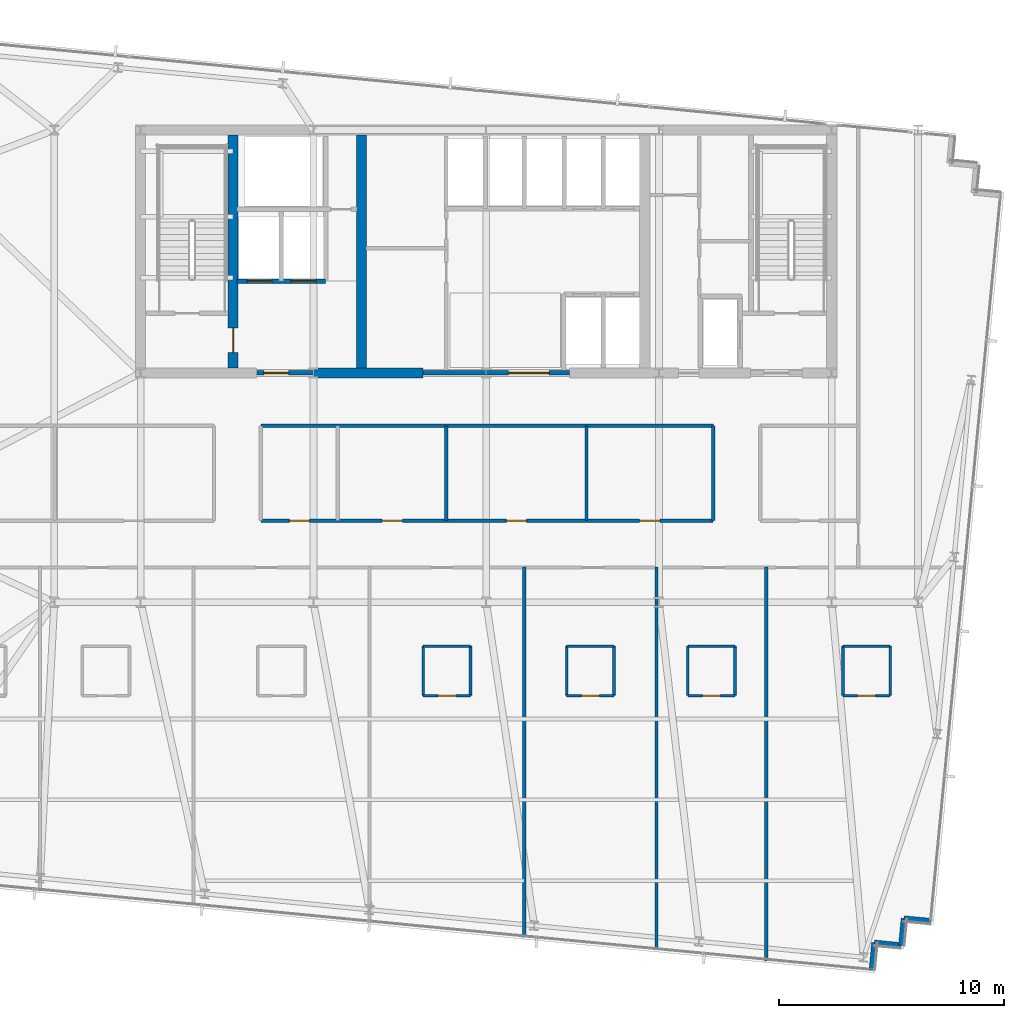
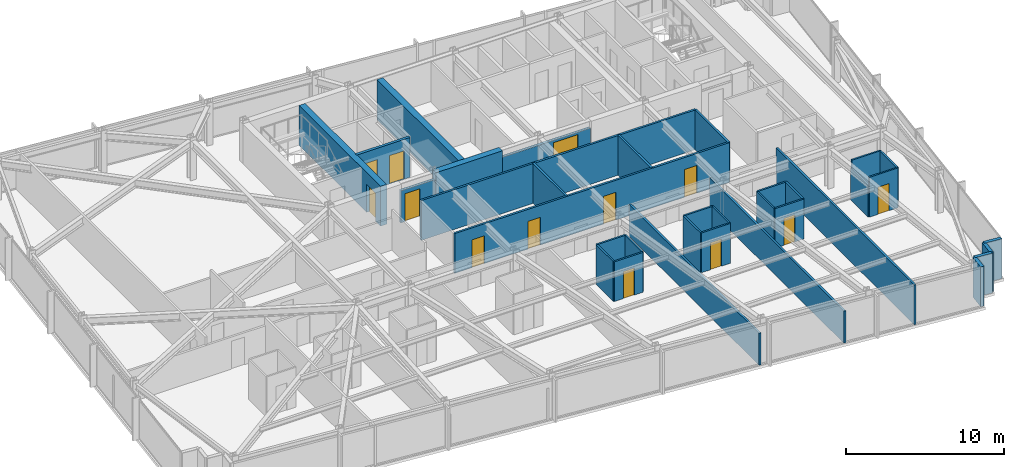
# One storey, part 30 of 38: 34 walls, 13 doors, 13 openings.
"""IFC4 building model written with IfcOpenShell, lengths in metres."""

from ifc_helpers import new_model, si_unit, direction, frame, frame_2d, origin, place, context, subcontext, project, spatial, rectangle, extrude, material, layer, layer_set, type_object, element, fill, save


model = new_model("IFC4")

# Units and contexts
model_context = context("Model", 3, precision=1e-05, world=origin(), true_north=direction((0.0, 1.0)))
body_context = subcontext(model_context, "Body", "Model", "MODEL_VIEW")
ifc_project = project(units=[si_unit("LENGTHUNIT", "METRE"), si_unit("AREAUNIT", "SQUARE_METRE"), si_unit("VOLUMEUNIT", "CUBIC_METRE"), si_unit("PLANEANGLEUNIT", "RADIAN"), si_unit("MASSUNIT", "GRAM", prefix="KILO")], contexts=[model_context])

# Site, building, storey
site_placement = place(None, origin())
site = spatial("IfcSite", under=ifc_project, at=site_placement, CompositionType="ELEMENT")
building_placement = place(site_placement, origin())
building = spatial("IfcBuilding", under=site, at=building_placement, Name="Yelkora Congress Tower", CompositionType="ELEMENT")
storey_placement = place(building_placement, frame((0.0, 0.0, 172.10009765625)))
storey = spatial("IfcBuildingStorey", under=building, at=storey_placement, Name="L47", CompositionType="ELEMENT", Elevation=172.10009765625)

# Wall
ifc_material_1 = material(Name="Concrete C60/75", Category="concrete")
ifc_layer_1 = layer(ifc_material_1, 0.449951171875)
ifc_layer_set_1 = layer_set([ifc_layer_1], Name="Concrete C60/75")
wall_type_1 = type_object("IfcWallType", Name="WALL-CORE-INT-450", PredefinedType="SHEAR", material=ifc_layer_set_1)
wall_1_placement = place(storey_placement, frame((30.719970703125, 35.39990234375, 0.0), z_axis=(0.0, 0.0, 1.0), x_axis=(1.0, 0.0, 0.0)))
element("IfcWall", 1, at=wall_1_placement, inside=storey, type_object=wall_type_1, Name="L47 Rear Core South-Center Shear Pier", PredefinedType="SHEAR", context=body_context, shape_type="SweptSolid", body=[
    extrude(rectangle(XDim=4.880126953125, YDim=0.449951171875, at=frame_2d((2.43994140625, 0.0))), origin(), (0.0, 0.0, 1.0), 3.079833984375),
])

# Wall, opening, door
wall_2_placement = place(storey_placement, frame((27.14990234375, 35.625, 0.0), z_axis=(0.0, 0.0, 1.0), x_axis=(0.0, 1.0, 0.0)))
wall_2 = element("IfcWall", 2, at=wall_2_placement, inside=storey, type_object=wall_type_1, Name="L47 Rear Core Cross Shear Wall C1", PredefinedType="SHEAR", context=body_context, shape_type="SweptSolid", body=[
    extrude(rectangle(XDim=10.35009765625, YDim=0.449951171875, at=frame_2d((5.175048828125, 0.0))), origin(), (0.0, 0.0, 1.0), 3.079833984375),
])
opening_1_placement = place(wall_2_placement, frame((0.675048828125, 0.0, 0.0)))
opening_1 = element("IfcOpeningElement", 3, at=opening_1_placement, cuts=wall_2, Name="Opening DR-110F9", PredefinedType="OPENING", context=body_context, shape_type="SweptSolid", body=[
    extrude(rectangle(XDim=1.10009765625, YDim=2.14990234375, at=frame_2d((0.550048828125, 1.074951171875))), frame((0.0, 0.23486328125, 0.0), z_axis=(0.0, -1.0, 0.0), x_axis=(1.0, 0.0, 0.0)), (0.0, 0.0, 1.0), 0.469970703125),
])
ifc_material_2 = material(Name="Galvanised steel fire door leaf", Category="steel")
door_type_1 = type_object("IfcDoorType", Name="DOOR-FD90-1100", OperationType="NOTDEFINED", PredefinedType="DOOR", material=ifc_material_2)
door_1_placement = place(opening_1_placement, origin())
door_1 = element("IfcDoor", 4, at=door_1_placement, inside=storey, type_object=door_type_1, Name="L47 Firefighting Stair Transfer Door", OperationType="SINGLE_SWING_LEFT", OverallHeight=2.14990234375, OverallWidth=1.10009765625, PredefinedType="DOOR", context=body_context, shape_type="SweptSolid", body=[
    extrude(rectangle(XDim=1.10009765625, YDim=2.14990234375, at=frame_2d((0.550048828125, 1.074951171875))), frame((0.0, 0.02490234375, 0.0), z_axis=(0.0, -1.0, 0.0), x_axis=(1.0, 0.0, 0.0)), (0.0, 0.0, 1.0), 0.050048828125),
])
fill(opening_1, door_1)

# Walls
wall_3_placement = place(storey_placement, frame((32.85009765625, 35.625, 0.0), z_axis=(0.0, 0.0, 1.0), x_axis=(0.0, 1.0, 0.0)))
element("IfcWall", 5, at=wall_3_placement, inside=storey, type_object=wall_type_1, Name="L47 Rear Core Cross Shear Wall C2", PredefinedType="SHEAR", context=body_context, shape_type="SweptSolid", body=[
    extrude(rectangle(XDim=10.35009765625, YDim=0.449951171875, at=frame_2d((5.175048828125, 0.0))), origin(), (0.0, 0.0, 1.0), 3.079833984375),
])
ifc_material_3 = material(Name="Concrete C40/50", Category="concrete")
ifc_layer_2 = layer(ifc_material_3, 0.239990234375)
ifc_layer_set_2 = layer_set([ifc_layer_2], Name="Concrete C40/50")
wall_type_2 = type_object("IfcWallType", Name="WALL-EXT-LIMESTONE-240", PredefinedType="SOLIDWALL", material=ifc_layer_set_2)
wall_4_placement = place(storey_placement, frame((58.160400390625, 11.033203125, 0.0), z_axis=(0.0, 0.0, 1.0), x_axis=(-0.995398960025, 0.095817067274, 0.0)))
element("IfcWall", 6, at=wall_4_placement, inside=storey, type_object=wall_type_2, Name="L47 Serrated Corner Limestone Pier 16", PredefinedType="SOLIDWALL", context=body_context, shape_type="SweptSolid", body=[
    extrude(rectangle(XDim=1.2001953125, YDim=0.239990234375, at=frame_2d((0.60009765625, 0.0))), origin(), (0.0, 0.0, 1.0), 3.079833984375),
])
for number, where, z_axis, x_axis, name in (
    (7, (56.9658203125, 11.148193359375, 0.0), (0.0, 0.0, 1.0), (-0.095836473879, -0.995397091755, 0.0), "L47 Serrated Corner Limestone Pier 17"),
    (8, (56.850830078125, 9.953857421875, 0.0), (0.0, 0.0, 1.0), (-0.995397091755, 0.095836473879, 0.0), "L47 Serrated Corner Limestone Pier 18"),
):
    element("IfcWall", number, at=place(storey_placement, frame(where, z_axis=z_axis, x_axis=x_axis)), inside=storey, type_object=wall_type_2, Name=name, PredefinedType="SOLIDWALL", context=body_context, shape_type="SweptSolid", body=[
        extrude(rectangle(XDim=1.199951171875, YDim=0.239990234375, at=frame_2d((0.60009765625, 0.0))), origin(), (0.0, 0.0, 1.0), 3.079833984375),
    ])
wall_5_placement = place(storey_placement, frame((55.656494140625, 10.06884765625, 0.0), z_axis=(0.0, 0.0, 1.0), x_axis=(-0.095817067274, -0.995398960025, 0.0)))
element("IfcWall", 9, at=wall_5_placement, inside=storey, type_object=wall_type_2, Name="L47 Serrated Corner Limestone Pier 19", PredefinedType="SOLIDWALL", context=body_context, shape_type="SweptSolid", body=[
    extrude(rectangle(XDim=1.2001953125, YDim=0.239990234375, at=frame_2d((0.60009765625, 0.0))), origin(), (0.0, 0.0, 1.0), 3.079833984375),
])
ifc_material_4 = material(Name="Moisture-resistant gypsum partition", Category="gypsum")
ifc_layer_3 = layer(ifc_material_4, 0.1201171875)
ifc_layer_set_3 = layer_set([ifc_layer_3], Name="Moisture-resistant gypsum partition")
wall_type_3 = type_object("IfcWallType", Name="WALL-INT-120-NR", PredefinedType="PARTITIONING", material=ifc_layer_set_3)
wall_6_placement = place(storey_placement, frame((35.60107421875, 23.25, 0.0), z_axis=(0.0, 0.0, 1.0), x_axis=(1.0, 0.0, 0.0)))
element("IfcWall", 10, at=wall_6_placement, inside=storey, type_object=wall_type_3, Name="L47 Partition Wall 46", PredefinedType="PARTITIONING", context=body_context, shape_type="SweptSolid", body=[
    extrude(rectangle(XDim=2.099853515625, YDim=0.1201171875, at=frame_2d((1.0498046875, 0.0))), origin(), (0.0, 0.0, 1.0), 3.079833984375),
])
for number, where, z_axis, x_axis, name in (
    (11, (35.60107421875, 21.050048828125, 0.0), (0.0, 0.0, 1.0), (0.0, 1.0, 0.0), "L47 Partition Wall 47"),
    (12, (37.700927734375, 21.050048828125, 0.0), (0.0, 0.0, 1.0), (0.0, 1.0, 0.0), "L47 Partition Wall 48"),
):
    element("IfcWall", number, at=place(storey_placement, frame(where, z_axis=z_axis, x_axis=x_axis)), inside=storey, type_object=wall_type_3, Name=name, PredefinedType="PARTITIONING", context=body_context, shape_type="SweptSolid", body=[
        extrude(rectangle(XDim=2.199951171875, YDim=0.1201171875, at=frame_2d((1.10009765625, 0.0))), origin(), (0.0, 0.0, 1.0), 3.079833984375),
    ])

# Wall, opening, door
wall_7_placement = place(storey_placement, frame((35.60107421875, 21.050048828125, 0.0), z_axis=(0.0, 0.0, 1.0), x_axis=(1.0, 0.0, 0.0)))
wall_7 = element("IfcWall", 13, at=wall_7_placement, inside=storey, type_object=wall_type_3, Name="L47 Partition Wall 49", PredefinedType="PARTITIONING", context=body_context, shape_type="SweptSolid", body=[
    extrude(rectangle(XDim=2.099853515625, YDim=0.1201171875, at=frame_2d((1.0498046875, 0.0))), origin(), (0.0, 0.0, 1.0), 3.079833984375),
])
opening_2_placement = place(wall_7_placement, frame((0.64990234375, 0.0, 0.0)))
opening_2 = element("IfcOpeningElement", 14, at=opening_2_placement, cuts=wall_7, Name="Opening DR-080B", PredefinedType="OPENING", context=body_context, shape_type="SweptSolid", body=[
    extrude(rectangle(XDim=0.800048828125, YDim=2.10009765625, at=frame_2d((0.39990234375, 1.050048828125))), frame((0.0, 0.070068359375, 0.0), z_axis=(0.0, -1.0, 0.0), x_axis=(1.0, 0.0, 0.0)), (0.0, 0.0, 1.0), 0.14013671875),
])
ifc_material_5 = material(Name="Moisture-sealed en-suite timber door", Category="wood")
door_type_2 = type_object("IfcDoorType", Name="DOOR-BATH-800", OperationType="NOTDEFINED", PredefinedType="DOOR", material=ifc_material_5)
door_2_placement = place(opening_2_placement, origin())
door_2 = element("IfcDoor", 15, at=door_2_placement, inside=storey, type_object=door_type_2, Name="L47 En-suite Door 5", OperationType="SINGLE_SWING_LEFT", OverallHeight=2.10009765625, OverallWidth=0.800048828125, PredefinedType="DOOR", context=body_context, shape_type="SweptSolid", body=[
    extrude(rectangle(XDim=0.800048828125, YDim=2.10009765625, at=frame_2d((0.39990234375, 1.050048828125))), frame((0.0, 0.02490234375, 0.0), z_axis=(0.0, -1.0, 0.0), x_axis=(1.0, 0.0, 0.0)), (0.0, 0.0, 1.0), 0.050048828125),
])
fill(opening_2, door_2)

# Walls
wall_8_placement = place(storey_placement, frame((41.98095703125, 23.25, 0.0), z_axis=(0.0, 0.0, 1.0), x_axis=(1.0, 0.0, 0.0)))
element("IfcWall", 16, at=wall_8_placement, inside=storey, type_object=wall_type_3, Name="L47 Partition Wall 51", PredefinedType="PARTITIONING", context=body_context, shape_type="SweptSolid", body=[
    extrude(rectangle(XDim=2.10009765625, YDim=0.1201171875, at=frame_2d((1.050048828125, 0.0))), origin(), (0.0, 0.0, 1.0), 3.079833984375),
])
for number, where, z_axis, x_axis, name in (
    (17, (41.98095703125, 21.050048828125, 0.0), (0.0, 0.0, 1.0), (0.0, 1.0, 0.0), "L47 Partition Wall 52"),
    (18, (44.0810546875, 21.050048828125, 0.0), (0.0, 0.0, 1.0), (0.0, 1.0, 0.0), "L47 Partition Wall 53"),
):
    element("IfcWall", number, at=place(storey_placement, frame(where, z_axis=z_axis, x_axis=x_axis)), inside=storey, type_object=wall_type_3, Name=name, PredefinedType="PARTITIONING", context=body_context, shape_type="SweptSolid", body=[
        extrude(rectangle(XDim=2.199951171875, YDim=0.1201171875, at=frame_2d((1.10009765625, 0.0))), origin(), (0.0, 0.0, 1.0), 3.079833984375),
    ])

# Wall, opening, door
wall_9_placement = place(storey_placement, frame((41.98095703125, 21.050048828125, 0.0), z_axis=(0.0, 0.0, 1.0), x_axis=(1.0, 0.0, 0.0)))
wall_9 = element("IfcWall", 19, at=wall_9_placement, inside=storey, type_object=wall_type_3, Name="L47 Partition Wall 54", PredefinedType="PARTITIONING", context=body_context, shape_type="SweptSolid", body=[
    extrude(rectangle(XDim=2.10009765625, YDim=0.1201171875, at=frame_2d((1.050048828125, 0.0))), origin(), (0.0, 0.0, 1.0), 3.079833984375),
])
opening_3_placement = place(wall_9_placement, frame((0.64990234375, 0.0, 0.0)))
opening_3 = element("IfcOpeningElement", 20, at=opening_3_placement, cuts=wall_9, Name="Opening DR-080B", PredefinedType="OPENING", context=body_context, shape_type="SweptSolid", body=[
    extrude(rectangle(XDim=0.800048828125, YDim=2.10009765625, at=frame_2d((0.39990234375, 1.050048828125))), frame((0.0, 0.070068359375, 0.0), z_axis=(0.0, -1.0, 0.0), x_axis=(1.0, 0.0, 0.0)), (0.0, 0.0, 1.0), 0.14013671875),
])
door_3_placement = place(opening_3_placement, origin())
door_3 = element("IfcDoor", 21, at=door_3_placement, inside=storey, type_object=door_type_2, Name="L47 En-suite Door 6", OperationType="SINGLE_SWING_RIGHT", OverallHeight=2.10009765625, OverallWidth=0.800048828125, PredefinedType="DOOR", context=body_context, shape_type="SweptSolid", body=[
    extrude(rectangle(XDim=0.800048828125, YDim=2.10009765625, at=frame_2d((0.39990234375, 1.050048828125))), frame((0.0, 0.02490234375, 0.0), z_axis=(0.0, -1.0, 0.0), x_axis=(1.0, 0.0, 0.0)), (0.0, 0.0, 1.0), 0.050048828125),
])
fill(opening_3, door_3)

# Walls
wall_10_placement = place(storey_placement, frame((47.361083984375, 23.25, 0.0), z_axis=(0.0, 0.0, 1.0), x_axis=(1.0, 0.0, 0.0)))
element("IfcWall", 22, at=wall_10_placement, inside=storey, type_object=wall_type_3, Name="L47 Partition Wall 56", PredefinedType="PARTITIONING", context=body_context, shape_type="SweptSolid", body=[
    extrude(rectangle(XDim=2.099853515625, YDim=0.1201171875, at=frame_2d((1.0498046875, 0.0))), origin(), (0.0, 0.0, 1.0), 3.079833984375),
])
for number, where, z_axis, x_axis, name in (
    (23, (47.361083984375, 21.050048828125, 0.0), (0.0, 0.0, 1.0), (0.0, 1.0, 0.0), "L47 Partition Wall 57"),
    (24, (49.4609375, 21.050048828125, 0.0), (0.0, 0.0, 1.0), (0.0, 1.0, 0.0), "L47 Partition Wall 58"),
):
    element("IfcWall", number, at=place(storey_placement, frame(where, z_axis=z_axis, x_axis=x_axis)), inside=storey, type_object=wall_type_3, Name=name, PredefinedType="PARTITIONING", context=body_context, shape_type="SweptSolid", body=[
        extrude(rectangle(XDim=2.199951171875, YDim=0.1201171875, at=frame_2d((1.10009765625, 0.0))), origin(), (0.0, 0.0, 1.0), 3.079833984375),
    ])

# Wall, opening, door
wall_11_placement = place(storey_placement, frame((47.361083984375, 21.050048828125, 0.0), z_axis=(0.0, 0.0, 1.0), x_axis=(1.0, 0.0, 0.0)))
wall_11 = element("IfcWall", 25, at=wall_11_placement, inside=storey, type_object=wall_type_3, Name="L47 Partition Wall 59", PredefinedType="PARTITIONING", context=body_context, shape_type="SweptSolid", body=[
    extrude(rectangle(XDim=2.099853515625, YDim=0.1201171875, at=frame_2d((1.0498046875, 0.0))), origin(), (0.0, 0.0, 1.0), 3.079833984375),
])
opening_4_placement = place(wall_11_placement, frame((0.64990234375, 0.0, 0.0)))
opening_4 = element("IfcOpeningElement", 26, at=opening_4_placement, cuts=wall_11, Name="Opening DR-080B", PredefinedType="OPENING", context=body_context, shape_type="SweptSolid", body=[
    extrude(rectangle(XDim=0.800048828125, YDim=2.10009765625, at=frame_2d((0.39990234375, 1.050048828125))), frame((0.0, 0.070068359375, 0.0), z_axis=(0.0, -1.0, 0.0), x_axis=(1.0, 0.0, 0.0)), (0.0, 0.0, 1.0), 0.14013671875),
])
door_4_placement = place(opening_4_placement, origin())
door_4 = element("IfcDoor", 27, at=door_4_placement, inside=storey, type_object=door_type_2, Name="L47 En-suite Door 7", OperationType="SINGLE_SWING_LEFT", OverallHeight=2.10009765625, OverallWidth=0.800048828125, PredefinedType="DOOR", context=body_context, shape_type="SweptSolid", body=[
    extrude(rectangle(XDim=0.800048828125, YDim=2.10009765625, at=frame_2d((0.39990234375, 1.050048828125))), frame((0.0, 0.02490234375, 0.0), z_axis=(0.0, -1.0, 0.0), x_axis=(1.0, 0.0, 0.0)), (0.0, 0.0, 1.0), 0.050048828125),
])
fill(opening_4, door_4)

# Walls
wall_12_placement = place(storey_placement, frame((54.260009765625, 23.25, 0.0), z_axis=(0.0, 0.0, 1.0), x_axis=(1.0, 0.0, 0.0)))
element("IfcWall", 28, at=wall_12_placement, inside=storey, type_object=wall_type_3, Name="L47 Partition Wall 61", PredefinedType="PARTITIONING", context=body_context, shape_type="SweptSolid", body=[
    extrude(rectangle(XDim=2.10009765625, YDim=0.1201171875, at=frame_2d((1.050048828125, 0.0))), origin(), (0.0, 0.0, 1.0), 3.079833984375),
])
wall_13_placement = place(storey_placement, frame((54.260009765625, 21.050048828125, 0.0), z_axis=(0.0, 0.0, 1.0), x_axis=(0.0, 1.0, 0.0)))
element("IfcWall", 29, at=wall_13_placement, inside=storey, type_object=wall_type_3, Name="L47 Partition Wall 62", PredefinedType="PARTITIONING", context=body_context, shape_type="SweptSolid", body=[
    extrude(rectangle(XDim=2.199951171875, YDim=0.1201171875, at=frame_2d((1.10009765625, 0.0))), origin(), (0.0, 0.0, 1.0), 2.474853515625),
])
wall_14_placement = place(storey_placement, frame((56.360107421875, 21.050048828125, 0.0), z_axis=(0.0, 0.0, 1.0), x_axis=(0.0, 1.0, 0.0)))
element("IfcWall", 30, at=wall_14_placement, inside=storey, type_object=wall_type_3, Name="L47 Partition Wall 63", PredefinedType="PARTITIONING", context=body_context, shape_type="SweptSolid", body=[
    extrude(rectangle(XDim=2.199951171875, YDim=0.1201171875, at=frame_2d((1.10009765625, 0.0))), origin(), (0.0, 0.0, 1.0), 3.079833984375),
])

# Wall, opening, door
wall_15_placement = place(storey_placement, frame((54.260009765625, 21.050048828125, 0.0), z_axis=(0.0, 0.0, 1.0), x_axis=(1.0, 0.0, 0.0)))
wall_15 = element("IfcWall", 31, at=wall_15_placement, inside=storey, type_object=wall_type_3, Name="L47 Partition Wall 64", PredefinedType="PARTITIONING", context=body_context, shape_type="SweptSolid", body=[
    extrude(rectangle(XDim=2.10009765625, YDim=0.1201171875, at=frame_2d((1.050048828125, 0.0))), origin(), (0.0, 0.0, 1.0), 3.079833984375),
])
opening_5_placement = place(wall_15_placement, frame((0.64990234375, 0.0, 0.0)))
opening_5 = element("IfcOpeningElement", 32, at=opening_5_placement, cuts=wall_15, Name="Opening DR-080B", PredefinedType="OPENING", context=body_context, shape_type="SweptSolid", body=[
    extrude(rectangle(XDim=0.800048828125, YDim=2.10009765625, at=frame_2d((0.39990234375, 1.050048828125))), frame((0.0, 0.070068359375, 0.0), z_axis=(0.0, -1.0, 0.0), x_axis=(1.0, 0.0, 0.0)), (0.0, 0.0, 1.0), 0.14013671875),
])
door_5_placement = place(opening_5_placement, origin())
door_5 = element("IfcDoor", 33, at=door_5_placement, inside=storey, type_object=door_type_2, Name="L47 En-suite Door 8", OperationType="SINGLE_SWING_RIGHT", OverallHeight=2.10009765625, OverallWidth=0.800048828125, PredefinedType="DOOR", context=body_context, shape_type="SweptSolid", body=[
    extrude(rectangle(XDim=0.800048828125, YDim=2.10009765625, at=frame_2d((0.39990234375, 1.050048828125))), frame((0.0, 0.02490234375, 0.0), z_axis=(0.0, -1.0, 0.0), x_axis=(1.0, 0.0, 0.0)), (0.0, 0.0, 1.0), 0.050048828125),
])
fill(opening_5, door_5)

# Walls
ifc_material_6 = material(Name="Acoustic metal-stud gypsum partition", Category="gypsum")
ifc_layer_4 = layer(ifc_material_6, 0.14990234375)
ifc_layer_set_4 = layer_set([ifc_layer_4], Name="Acoustic metal-stud gypsum partition")
wall_type_4 = type_object("IfcWallType", Name="WALL-INT-150-NR", PredefinedType="PARTITIONING", material=ifc_layer_set_4)
wall_16_placement = place(storey_placement, frame((48.5, 28.830078125, 0.0), z_axis=(0.0, 0.0, 1.0), x_axis=(0.0, 1.0, 0.0)))
element("IfcWall", 34, at=wall_16_placement, inside=storey, type_object=wall_type_4, Name="L47 Partition Wall 71", PredefinedType="PARTITIONING", context=body_context, shape_type="SweptSolid", body=[
    extrude(rectangle(XDim=4.219970703125, YDim=0.14990234375, at=frame_2d((2.10986328125, 0.0))), origin(), (0.0, 0.0, 1.0), 3.079833984375),
])
wall_17_placement = place(storey_placement, frame((28.3798828125, 33.050048828125, 0.0), z_axis=(0.0, 0.0, 1.0), x_axis=(1.0, 0.0, 0.0)))
element("IfcWall", 35, at=wall_17_placement, inside=storey, type_object=wall_type_4, Name="L47 Partition Wall 74", PredefinedType="PARTITIONING", context=body_context, shape_type="SweptSolid", body=[
    extrude(rectangle(XDim=20.1201171875, YDim=0.14990234375, at=frame_2d((10.06005859375, 0.0))), origin(), (0.0, 0.0, 1.0), 3.079833984375),
])
for number, where, z_axis, x_axis, name in (
    (36, (36.631103515625, 28.830078125, 0.0), (0.0, 0.0, 1.0), (0.0, 1.0, 0.0), "L47 Partition Wall 80"),
    (37, (42.862060546875, 28.830078125, 0.0), (0.0, 0.0, 1.0), (0.0, 1.0, 0.0), "L47 Partition Wall 81"),
):
    element("IfcWall", number, at=place(storey_placement, frame(where, z_axis=z_axis, x_axis=x_axis)), inside=storey, type_object=wall_type_4, Name=name, PredefinedType="PARTITIONING", context=body_context, shape_type="SweptSolid", body=[
        extrude(rectangle(XDim=4.219970703125, YDim=0.14990234375, at=frame_2d((2.10986328125, 0.0))), origin(), (0.0, 0.0, 1.0), 3.079833984375),
    ])

# Wall, openings, doors
wall_18_placement = place(storey_placement, frame((28.389892578125, 28.830078125, 0.0), z_axis=(0.0, 0.0, 1.0), x_axis=(1.0, 0.0, 0.0)))
wall_18 = element("IfcWall", 38, at=wall_18_placement, inside=storey, type_object=wall_type_4, Name="L47 Partition Wall 82", PredefinedType="PARTITIONING", context=body_context, shape_type="SweptSolid", body=[
    extrude(rectangle(XDim=20.10009765625, YDim=0.14990234375, at=frame_2d((10.050048828125, 0.0))), origin(), (0.0, 0.0, 1.0), 3.079833984375),
])
opening_6_placement = place(wall_18_placement, frame((1.258544921875, 0.0, 0.0)))
opening_6 = element("IfcOpeningElement", 39, at=opening_6_placement, cuts=wall_18, Name="Opening DR-090N", PredefinedType="OPENING", context=body_context, shape_type="SweptSolid", body=[
    extrude(rectangle(XDim=0.89990234375, YDim=2.14990234375, at=frame_2d((0.449951171875, 1.074951171875))), frame((0.0, 0.0849609375, 0.0), z_axis=(0.0, -1.0, 0.0), x_axis=(1.0, 0.0, 0.0)), (0.0, 0.0, 1.0), 0.169921875),
])
opening_7_placement = place(wall_18_placement, frame((5.37890625, 0.0, 0.0)))
opening_7 = element("IfcOpeningElement", 40, at=opening_7_placement, cuts=wall_18, Name="Opening DR-090N", PredefinedType="OPENING", context=body_context, shape_type="SweptSolid", body=[
    extrude(rectangle(XDim=0.89990234375, YDim=2.14990234375, at=frame_2d((0.449951171875, 1.074951171875))), frame((0.0, 0.0849609375, 0.0), z_axis=(0.0, -1.0, 0.0), x_axis=(1.0, 0.0, 0.0)), (0.0, 0.0, 1.0), 0.169921875),
])
opening_8_placement = place(wall_18_placement, frame((10.906494140625, 0.0, 0.0)))
opening_8 = element("IfcOpeningElement", 41, at=opening_8_placement, cuts=wall_18, Name="Opening DR-090N", PredefinedType="OPENING", context=body_context, shape_type="SweptSolid", body=[
    extrude(rectangle(XDim=0.89990234375, YDim=2.14990234375, at=frame_2d((0.449951171875, 1.074951171875))), frame((0.0, 0.0849609375, 0.0), z_axis=(0.0, -1.0, 0.0), x_axis=(1.0, 0.0, 0.0)), (0.0, 0.0, 1.0), 0.169921875),
])
opening_9_placement = place(wall_18_placement, frame((16.8359375, 0.0, 0.0)))
opening_9 = element("IfcOpeningElement", 42, at=opening_9_placement, cuts=wall_18, Name="Opening DR-090N", PredefinedType="OPENING", context=body_context, shape_type="SweptSolid", body=[
    extrude(rectangle(XDim=0.89990234375, YDim=2.14990234375, at=frame_2d((0.449951171875, 1.074951171875))), frame((0.0, 0.0849609375, 0.0), z_axis=(0.0, -1.0, 0.0), x_axis=(1.0, 0.0, 0.0)), (0.0, 0.0, 1.0), 0.169921875),
])
ifc_material_7 = material(Name="Moisture-resistant laminate door leaf", Category="wood")
door_type_3 = type_object("IfcDoorType", Name="DOOR-INT-900", OperationType="NOTDEFINED", PredefinedType="DOOR", material=ifc_material_7)
door_6_placement = place(opening_6_placement, origin())
door_6 = element("IfcDoor", 43, at=door_6_placement, inside=storey, type_object=door_type_3, Name="L47 Executive Library Door", OperationType="SINGLE_SWING_RIGHT", OverallHeight=2.14990234375, OverallWidth=0.89990234375, PredefinedType="DOOR", context=body_context, shape_type="SweptSolid", body=[
    extrude(rectangle(XDim=0.89990234375, YDim=2.14990234375, at=frame_2d((0.449951171875, 1.074951171875))), frame((0.0, 0.02490234375, 0.0), z_axis=(0.0, -1.0, 0.0), x_axis=(1.0, 0.0, 0.0)), (0.0, 0.0, 1.0), 0.050048828125),
])
fill(opening_6, door_6)
door_7_placement = place(opening_7_placement, origin())
door_7 = element("IfcDoor", 44, at=door_7_placement, inside=storey, type_object=door_type_3, Name="L47 Delegate Kiosk Door", OperationType="SINGLE_SWING_LEFT", OverallHeight=2.14990234375, OverallWidth=0.89990234375, PredefinedType="DOOR", context=body_context, shape_type="SweptSolid", body=[
    extrude(rectangle(XDim=0.89990234375, YDim=2.14990234375, at=frame_2d((0.449951171875, 1.074951171875))), frame((0.0, 0.02490234375, 0.0), z_axis=(0.0, -1.0, 0.0), x_axis=(1.0, 0.0, 0.0)), (0.0, 0.0, 1.0), 0.050048828125),
])
fill(opening_7, door_7)
door_8_placement = place(opening_8_placement, origin())
door_8 = element("IfcDoor", 45, at=door_8_placement, inside=storey, type_object=door_type_3, Name="L47 Fitness Yoga Studio Door", OperationType="SINGLE_SWING_RIGHT", OverallHeight=2.14990234375, OverallWidth=0.89990234375, PredefinedType="DOOR", context=body_context, shape_type="SweptSolid", body=[
    extrude(rectangle(XDim=0.89990234375, YDim=2.14990234375, at=frame_2d((0.449951171875, 1.074951171875))), frame((0.0, 0.02490234375, 0.0), z_axis=(0.0, -1.0, 0.0), x_axis=(1.0, 0.0, 0.0)), (0.0, 0.0, 1.0), 0.050048828125),
])
fill(opening_8, door_8)
door_9_placement = place(opening_9_placement, origin())
door_9 = element("IfcDoor", 46, at=door_9_placement, inside=storey, type_object=door_type_3, Name="L47 Executive Library Door", OperationType="SINGLE_SWING_LEFT", OverallHeight=2.14990234375, OverallWidth=0.89990234375, PredefinedType="DOOR", context=body_context, shape_type="SweptSolid", body=[
    extrude(rectangle(XDim=0.89990234375, YDim=2.14990234375, at=frame_2d((0.449951171875, 1.074951171875))), frame((0.0, 0.02490234375, 0.0), z_axis=(0.0, -1.0, 0.0), x_axis=(1.0, 0.0, 0.0)), (0.0, 0.0, 1.0), 0.050048828125),
])
fill(opening_9, door_9)

# Walls
ifc_material_8 = material(Name="Twin-stud fire-rated gypsum partition", Category="gypsum")
ifc_layer_5 = layer(ifc_material_8, 0.14990234375)
ifc_layer_set_5 = layer_set([ifc_layer_5], Name="Twin-stud fire-rated gypsum partition")
wall_type_5 = type_object("IfcWallType", Name="WALL-INT-150-R60", PredefinedType="PARTITIONING", material=ifc_layer_set_5)
wall_19_placement = place(storey_placement, frame((40.090087890625, 10.3017578125, 0.0), z_axis=(0.0, 0.0, 1.0), x_axis=(0.0, 1.0, 0.0)))
element("IfcWall", 47, at=wall_19_placement, inside=storey, type_object=wall_type_5, Name="L47 Partition Wall 55", PredefinedType="PARTITIONING", context=body_context, shape_type="SweptSolid", body=[
    extrude(rectangle(XDim=16.46826171875, YDim=0.14990234375, at=frame_2d((8.234130859375, 0.0))), origin(), (0.0, 0.0, 1.0), 2.474853515625),
])
wall_20_placement = place(storey_placement, frame((45.970947265625, 9.735595703125, 0.0), z_axis=(0.0, 0.0, 1.0), x_axis=(0.0, 1.0, 0.0)))
element("IfcWall", 48, at=wall_20_placement, inside=storey, type_object=wall_type_5, Name="L47 Partition Wall 60", PredefinedType="PARTITIONING", context=body_context, shape_type="SweptSolid", body=[
    extrude(rectangle(XDim=17.034423828125, YDim=0.14990234375, at=frame_2d((8.51708984375, 0.0))), origin(), (0.0, 0.0, 1.0), 2.474853515625),
])
wall_21_placement = place(storey_placement, frame((50.85205078125, 9.265380859375, 0.0), z_axis=(0.0, 0.0, 1.0), x_axis=(0.0, 1.0, 0.0)))
element("IfcWall", 49, at=wall_21_placement, inside=storey, type_object=wall_type_5, Name="L47 Partition Wall 65", PredefinedType="PARTITIONING", context=body_context, shape_type="SweptSolid", body=[
    extrude(rectangle(XDim=17.504638671875, YDim=0.14990234375, at=frame_2d((8.75244140625, 0.0))), origin(), (0.0, 0.0, 1.0), 3.079833984375),
])

# Wall, opening, door
ifc_material_9 = material(Name="Autoclaved aerated concrete blockwork", Category="masonry")
ifc_layer_6 = layer(ifc_material_9, 0.199951171875)
ifc_layer_set_6 = layer_set([ifc_layer_6], Name="Autoclaved aerated concrete blockwork")
wall_type_6 = type_object("IfcWallType", Name="WALL-INT-200-R120", PredefinedType="PARTITIONING", material=ifc_layer_set_6)
wall_22_placement = place(storey_placement, frame((28.219970703125, 35.39990234375, 0.0), z_axis=(0.0, 0.0, 1.0), x_axis=(1.0, 0.0, 0.0)))
wall_22 = element("IfcWall", 50, at=wall_22_placement, inside=storey, type_object=wall_type_6, Name="L47 Firefighting Lobby South Wall", PredefinedType="PARTITIONING", context=body_context, shape_type="SweptSolid", body=[
    extrude(rectangle(XDim=2.5, YDim=0.199951171875, at=frame_2d((1.25, 0.0))), origin(), (0.0, 0.0, 1.0), 2.474853515625),
])
opening_10_placement = place(wall_22_placement, frame((0.300048828125, 0.0, 0.0)))
opening_10 = element("IfcOpeningElement", 51, at=opening_10_placement, cuts=wall_22, Name="Opening DR-110F9", PredefinedType="OPENING", context=body_context, shape_type="SweptSolid", body=[
    extrude(rectangle(XDim=1.10009765625, YDim=2.14990234375, at=frame_2d((0.550048828125, 1.074951171875))), frame((0.0, 0.10986328125, 0.0), z_axis=(0.0, -1.0, 0.0), x_axis=(1.0, 0.0, 0.0)), (0.0, 0.0, 1.0), 0.219970703125),
])
door_10_placement = place(opening_10_placement, origin())
door_10 = element("IfcDoor", 52, at=door_10_placement, inside=storey, type_object=door_type_1, Name="L47 Firefighting Lobby Corridor Door", OperationType="SINGLE_SWING_RIGHT", OverallHeight=2.14990234375, OverallWidth=1.10009765625, PredefinedType="DOOR", context=body_context, shape_type="SweptSolid", body=[
    extrude(rectangle(XDim=1.10009765625, YDim=2.14990234375, at=frame_2d((0.550048828125, 1.074951171875))), frame((0.0, 0.02490234375, 0.0), z_axis=(0.0, -1.0, 0.0), x_axis=(1.0, 0.0, 0.0)), (0.0, 0.0, 1.0), 0.050048828125),
])
fill(opening_10, door_10)

# Wall, openings, doors
wall_23_placement = place(storey_placement, frame((27.320068359375, 39.47998046875, 0.0), z_axis=(0.0, 0.0, 1.0), x_axis=(1.0, 0.0, 0.0)))
wall_23 = element("IfcWall", 53, at=wall_23_placement, inside=storey, type_object=wall_type_6, Name="L47 Firefighting Lift Front Wall", PredefinedType="PARTITIONING", context=body_context, shape_type="SweptSolid", body=[
    extrude(rectangle(XDim=3.93994140625, YDim=0.199951171875, at=frame_2d((1.969970703125, 0.0))), origin(), (0.0, 0.0, 1.0), 3.079833984375),
])
opening_11_placement = place(wall_23_placement, frame((0.449951171875, 0.0, 0.0)))
opening_11 = element("IfcOpeningElement", 54, at=opening_11_placement, cuts=wall_23, Name="Opening LD-FF11", PredefinedType="OPENING", context=body_context, shape_type="SweptSolid", body=[
    extrude(rectangle(XDim=1.10009765625, YDim=2.199951171875, at=frame_2d((0.550048828125, 1.10009765625))), frame((0.0, 0.10986328125, 0.0), z_axis=(0.0, -1.0, 0.0), x_axis=(1.0, 0.0, 0.0)), (0.0, 0.0, 1.0), 0.219970703125),
])
opening_12_placement = place(wall_23_placement, frame((2.409912109375, 0.0, 0.0)))
opening_12 = element("IfcOpeningElement", 55, at=opening_12_placement, cuts=wall_23, Name="Opening LD-FF11", PredefinedType="OPENING", context=body_context, shape_type="SweptSolid", body=[
    extrude(rectangle(XDim=1.10009765625, YDim=2.199951171875, at=frame_2d((0.550048828125, 1.10009765625))), frame((0.0, 0.10986328125, 0.0), z_axis=(0.0, -1.0, 0.0), x_axis=(1.0, 0.0, 0.0)), (0.0, 0.0, 1.0), 0.219970703125),
])
ifc_material_10 = material(Name="Brushed stainless steel 316L landing door", Category="steel")
door_type_4 = type_object("IfcDoorType", Name="DOOR-LIFT-FF-1100", OperationType="DOUBLE_DOOR_SLIDING", PredefinedType="DOOR", material=ifc_material_10)
door_11_placement = place(opening_11_placement, origin())
door_11 = element("IfcDoor", 56, at=door_11_placement, inside=storey, type_object=door_type_4, Name="Lift Landing Door LF-FF1 L47", OperationType="DOUBLE_DOOR_SLIDING", OverallHeight=2.199951171875, OverallWidth=1.10009765625, PredefinedType="DOOR", context=body_context, shape_type="SweptSolid", body=[
    extrude(rectangle(XDim=1.10009765625, YDim=2.199951171875, at=frame_2d((0.550048828125, 1.10009765625))), frame((0.0, 0.02490234375, 0.0), z_axis=(0.0, -1.0, 0.0), x_axis=(1.0, 0.0, 0.0)), (0.0, 0.0, 1.0), 0.050048828125),
])
fill(opening_11, door_11)
door_12_placement = place(opening_12_placement, origin())
door_12 = element("IfcDoor", 57, at=door_12_placement, inside=storey, type_object=door_type_4, Name="Lift Landing Door LF-FF2 L47", OperationType="DOUBLE_DOOR_SLIDING", OverallHeight=2.199951171875, OverallWidth=1.10009765625, PredefinedType="DOOR", context=body_context, shape_type="SweptSolid", body=[
    extrude(rectangle(XDim=1.10009765625, YDim=2.199951171875, at=frame_2d((0.550048828125, 1.10009765625))), frame((0.0, 0.02490234375, 0.0), z_axis=(0.0, -1.0, 0.0), x_axis=(1.0, 0.0, 0.0)), (0.0, 0.0, 1.0), 0.050048828125),
])
fill(opening_12, door_12)

# Wall, opening, door
wall_24_placement = place(storey_placement, frame((35.60009765625, 35.39990234375, 0.0), z_axis=(0.0, 0.0, 1.0), x_axis=(1.0, 0.0, 0.0)))
wall_24 = element("IfcWall", 58, at=wall_24_placement, inside=storey, type_object=wall_type_6, Name="L47 Main Lift Lobby South Portal Wall", PredefinedType="PARTITIONING", context=body_context, shape_type="SweptSolid", body=[
    extrude(rectangle(XDim=6.5, YDim=0.199951171875, at=frame_2d((3.25, 0.0))), origin(), (0.0, 0.0, 1.0), 2.474853515625),
])
opening_13_placement = place(wall_24_placement, frame((3.800048828125, 0.0, 0.0)))
opening_13 = element("IfcOpeningElement", 59, at=opening_13_placement, cuts=wall_24, Name="Opening DR-180D", PredefinedType="OPENING", context=body_context, shape_type="SweptSolid", body=[
    extrude(rectangle(XDim=1.800048828125, YDim=2.300048828125, at=frame_2d((0.89990234375, 1.14990234375))), frame((0.0, 0.10986328125, 0.0), z_axis=(0.0, -1.0, 0.0), x_axis=(1.0, 0.0, 0.0)), (0.0, 0.0, 1.0), 0.219970703125),
])
ifc_material_11 = material(Name="Acoustic double congress hall doors", Category="wood")
door_type_5 = type_object("IfcDoorType", Name="DOOR-DBL-1800", OperationType="DOUBLE_DOOR_SINGLE_SWING", PredefinedType="DOOR", material=ifc_material_11)
door_13_placement = place(opening_13_placement, origin())
door_13 = element("IfcDoor", 60, at=door_13_placement, inside=storey, type_object=door_type_5, Name="L47 Main Lift Lobby Portal Door", OperationType="DOUBLE_DOOR_SINGLE_SWING", OverallHeight=2.300048828125, OverallWidth=1.800048828125, PredefinedType="DOOR", context=body_context, shape_type="SweptSolid", body=[
    extrude(rectangle(XDim=1.800048828125, YDim=2.300048828125, at=frame_2d((0.89990234375, 1.14990234375))), frame((0.0, 0.02490234375, 0.0), z_axis=(0.0, -1.0, 0.0), x_axis=(1.0, 0.0, 0.0)), (0.0, 0.0, 1.0), 0.050048828125),
])
fill(opening_13, door_13)

save(model, "model.ifc")
